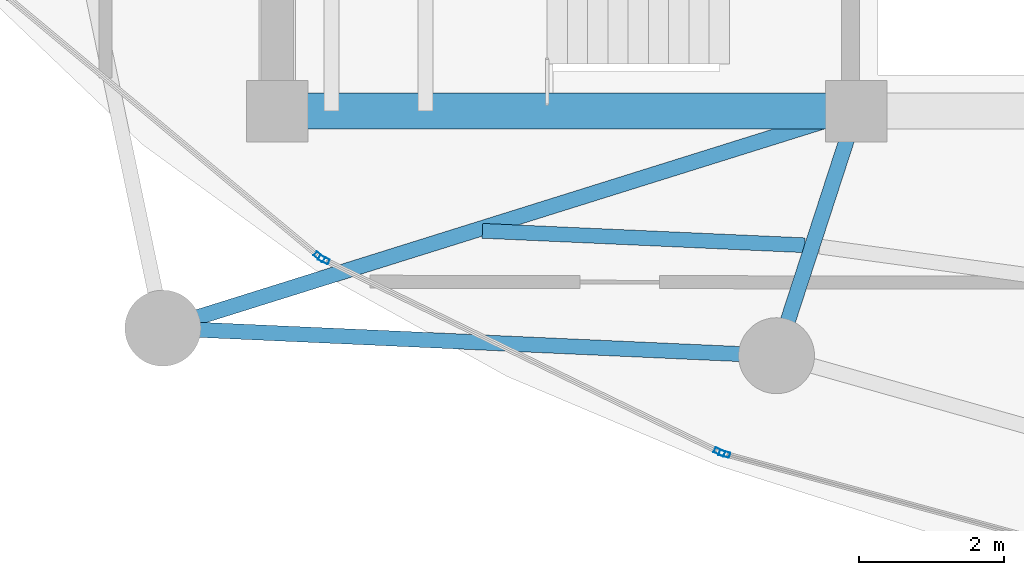
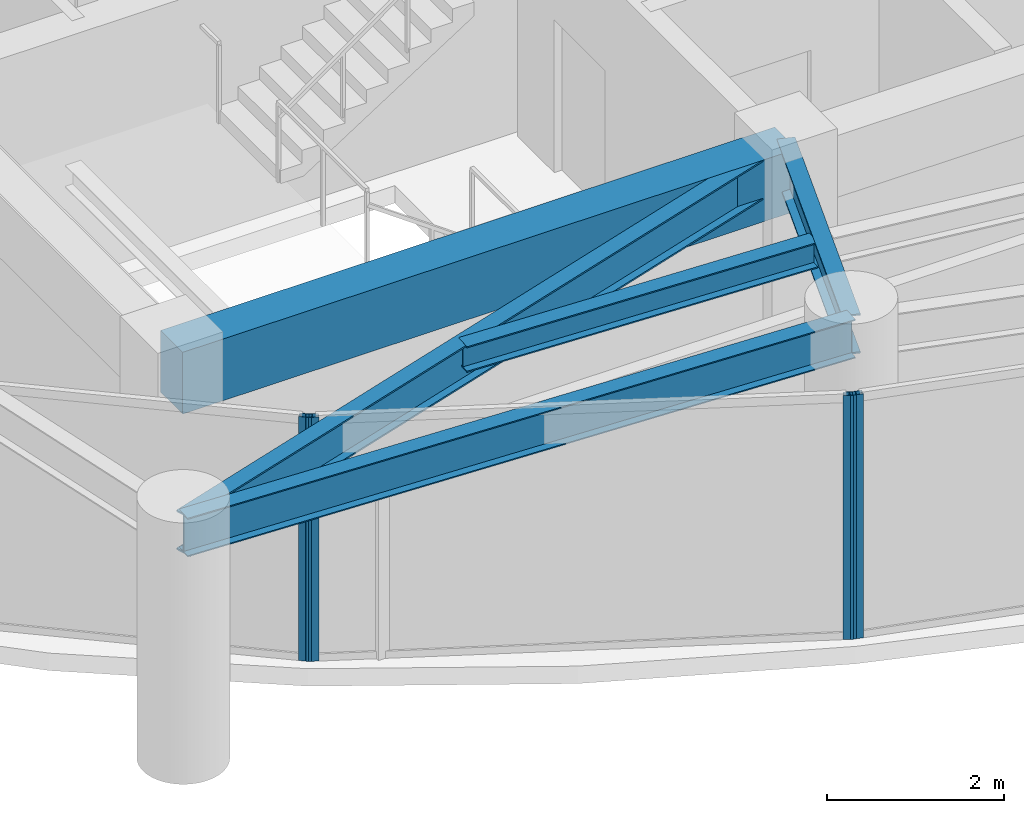
# One storey, part 2 of 29: 5 beams, 4 members, 3 elements without a shape of their own.
"""IFC4 building model written with IfcOpenShell, lengths in metres."""

from ifc_helpers import new_model, si_unit, direction, frame, origin, origin_2d, place, context, subcontext, project, spatial, rectangle, hollow_rectangle, i_section, extrude, material, layer, layer_set, material_profile, profile_set, type_object, element, aggregate, save


model = new_model("IFC4")

# Units and contexts
model_context = context("Model", 3, precision=1e-05, world=origin(), true_north=direction((0.0, 1.0)))
body_context = subcontext(model_context, "Body", "Model", "MODEL_VIEW")
ifc_project = project(units=[si_unit("LENGTHUNIT", "METRE"), si_unit("AREAUNIT", "SQUARE_METRE"), si_unit("VOLUMEUNIT", "CUBIC_METRE"), si_unit("PLANEANGLEUNIT", "RADIAN"), si_unit("MASSUNIT", "GRAM", prefix="KILO")], contexts=[model_context])

# Site, building, storey
site_placement = place(None, origin())
site = spatial("IfcSite", under=ifc_project, at=site_placement, CompositionType="ELEMENT")
building_placement = place(site_placement, origin())
building = spatial("IfcBuilding", under=site, at=building_placement, Name="Kazevale Care Tower and Concert Hall", CompositionType="ELEMENT")
storey_placement = place(building_placement, frame((0.0, 0.0, 213.60009765625)))
storey = spatial("IfcBuildingStorey", under=building, at=storey_placement, Name="L56", CompositionType="ELEMENT", Elevation=213.60009765625)

# Curtain wall, member
ifc_material_1 = material(Name="Aluminium 6063-T6 and Low-E Glass", Category="aluminium")
ifc_layer = layer(ifc_material_1, 0.179931640625)
ifc_layer_set = layer_set([ifc_layer], Name="Aluminium 6063-T6 and Low-E Glass")
curtain_wall_type = type_object("IfcCurtainWallType", Name="Sheltered Concave Balcony Curtain Wall CW-5", PredefinedType="NOTDEFINED", material=ifc_layer_set)
curtain_wall_1_placement = place(storey_placement, origin())
curtain_wall_1 = element("IfcCurtainWall", 1, at=curtain_wall_1_placement, inside=storey, type_object=curtain_wall_type, Name="cw:L56:f08", PredefinedType="NOTDEFINED")
ifc_material_2 = material(Name="Aluminium 6063-T6", Category="aluminium")
ifc_material_profile_1 = material_profile(ifc_material_2, hollow_rectangle(XDim=0.074951171875, YDim=0.14990234375, WallThickness=0.00390625, at=origin_2d()), Name="ALU75x150x4")
ifc_profile_set_1 = profile_set([ifc_material_profile_1], Name="Aluminium 6063-T6")
member_type = type_object("IfcMemberType", Name="CW-5 Mullion ALU75x150x4", PredefinedType="MULLION", material=ifc_profile_set_1)
member_1_placement = place(storey_placement, frame((28.18017578125, 18.863037109375, 0.0), z_axis=(0.0, 0.0, 1.0), x_axis=(-0.262848968947, -0.964836991167, 0.0)))
member_1 = element("IfcMember", 2, at=member_1_placement, type_object=member_type, Name="CW-5 mullion 2", PredefinedType="MULLION", context=body_context, shape_type="SweptSolid", body=[
    extrude(hollow_rectangle(XDim=0.074951171875, YDim=0.14990234375, WallThickness=0.00390625, at=origin_2d()), origin(), (0.0, 0.0, 1.0), 3.35986328125),
])
aggregate(curtain_wall_1, [member_1])

# Curtain wall, members
curtain_wall_2_placement = place(storey_placement, origin())
curtain_wall_2 = element("IfcCurtainWall", 3, at=curtain_wall_2_placement, inside=storey, type_object=curtain_wall_type, Name="cw:L56:f09", PredefinedType="NOTDEFINED")
member_2_placement = place(storey_placement, frame((28.1103515625, 18.889404296875, 0.0), z_axis=(0.0, 0.0, 1.0), x_axis=(-0.437238357087, -0.89934566163, 0.0)))
member_2 = element("IfcMember", 4, at=member_2_placement, type_object=member_type, Name="CW-5 mullion 1", PredefinedType="MULLION", context=body_context, shape_type="SweptSolid", body=[
    extrude(hollow_rectangle(XDim=0.074951171875, YDim=0.14990234375, WallThickness=0.00390625, at=origin_2d()), origin(), (0.0, 0.0, 1.0), 3.35986328125),
])
member_3_placement = place(storey_placement, frame((22.644775390625, 21.546630859375, 0.0), z_axis=(0.0, 0.0, 1.0), x_axis=(-0.437238357087, -0.89934566163, 0.0)))
member_3 = element("IfcMember", 5, at=member_3_placement, type_object=member_type, Name="CW-5 mullion 2", PredefinedType="MULLION", context=body_context, shape_type="SweptSolid", body=[
    extrude(hollow_rectangle(XDim=0.074951171875, YDim=0.14990234375, WallThickness=0.00390625, at=origin_2d()), origin(), (0.0, 0.0, 1.0), 3.35986328125),
])
aggregate(curtain_wall_2, [member_2, member_3])

# Curtain wall, member
curtain_wall_3_placement = place(storey_placement, origin())
curtain_wall_3 = element("IfcCurtainWall", 6, at=curtain_wall_3_placement, inside=storey, type_object=curtain_wall_type, Name="cw:L56:f10", PredefinedType="NOTDEFINED")
member_4_placement = place(storey_placement, frame((22.582275390625, 21.5869140625, 0.0), z_axis=(0.0, 0.0, 1.0), x_axis=(-0.639961217204, -0.768407210062, 0.0)))
member_4 = element("IfcMember", 7, at=member_4_placement, type_object=member_type, Name="CW-5 mullion 1", PredefinedType="MULLION", context=body_context, shape_type="SweptSolid", body=[
    extrude(hollow_rectangle(XDim=0.074951171875, YDim=0.14990234375, WallThickness=0.00390625, at=origin_2d()), origin(), (0.0, 0.0, 1.0), 3.35986328125),
])
aggregate(curtain_wall_3, [member_4])

# Beams
ifc_material_3 = material(Name="Concrete C60", Category="concrete")
ifc_material_profile_2 = material_profile(ifc_material_3, rectangle(XDim=0.5, YDim=0.85009765625, at=origin_2d()), Name="RC-B500x850")
ifc_profile_set_2 = profile_set([ifc_material_profile_2], Name="Concrete C60")
beam_type_1 = type_object("IfcBeamType", Name="Core Coupling Beam RC500x850", PredefinedType="LINTEL", material=ifc_profile_set_2)
beam_1_placement = place(storey_placement, frame((22.0, 23.60009765625, 2.934814453125), z_axis=(1.0, 0.0, 0.0), x_axis=(0.0, 1.0, 0.0)))
element("IfcBeam", 8, at=beam_1_placement, inside=storey, type_object=beam_type_1, Name="beam:L56:coretie:1", PredefinedType="LINTEL", context=body_context, shape_type="SweptSolid", body=[
    extrude(rectangle(XDim=0.5, YDim=0.85009765625, at=origin_2d()), origin(), (0.0, 0.0, 1.0), 8.0),
])
ifc_material_4 = material(Name="Steel ASTM A572 Gr 50", Category="steel")
ifc_material_profile_3 = material_profile(ifc_material_4, i_section(OverallWidth=0.2119140625, OverallDepth=0.5439453125, WebThickness=0.01318359375, FlangeThickness=0.021240234375, at=origin_2d()), Name="W530x123")
ifc_profile_set_3 = profile_set([ifc_material_profile_3], Name="Steel ASTM A572 Gr 50")
beam_type_2 = type_object("IfcBeamType", Name="Radial Floor Girder W530x123", PredefinedType="BEAM", material=ifc_profile_set_3)
beam_2_placement = place(storey_placement, frame((30.0, 23.60009765625, 3.087890625), z_axis=(-0.954303255322, -0.298839918486, 0.0), x_axis=(0.298839918486, -0.954303255322, 0.0)))
element("IfcBeam", 9, at=beam_2_placement, inside=storey, type_object=beam_type_2, Name="beam:L56:rad:10", PredefinedType="BEAM", context=body_context, shape_type="SweptSolid", body=[
    extrude(i_section(OverallWidth=0.2119140625, OverallDepth=0.5439453125, WebThickness=0.01318359375, FlangeThickness=0.021240234375, at=origin_2d()), origin(), (0.0, 0.0, 1.0), 10.038818359375),
])
beam_3_placement = place(storey_placement, frame((30.0, 23.60009765625, 3.087890625), z_axis=(-0.309482065101, -0.950905279921, 0.0), x_axis=(0.950905279921, -0.309482065101, 0.0)))
element("IfcBeam", 10, at=beam_3_placement, inside=storey, type_object=beam_type_2, Name="beam:L56:rad:11", PredefinedType="BEAM", context=body_context, shape_type="SweptSolid", body=[
    extrude(i_section(OverallWidth=0.2119140625, OverallDepth=0.5439453125, WebThickness=0.01318359375, FlangeThickness=0.021240234375, at=origin_2d()), origin(), (0.0, 0.0, 1.0), 3.5546875),
])
ifc_material_profile_4 = material_profile(ifc_material_4, i_section(OverallWidth=0.205078125, OverallDepth=0.35400390625, WebThickness=0.009521484375, FlangeThickness=0.016845703125, at=origin_2d()), Name="W360x79")
ifc_profile_set_4 = profile_set([ifc_material_profile_4], Name="Steel ASTM A572 Gr 50")
beam_type_3 = type_object("IfcBeamType", Name="Secondary Floor Joist W360x79", PredefinedType="JOIST", material=ifc_profile_set_4)
beam_4_placement = place(storey_placement, frame((24.8359375, 21.945068359375, 3.182861328125), z_axis=(0.999003687274, -0.044627713502, 0.0), x_axis=(0.044627713502, 0.999003687274, 0.0)))
element("IfcBeam", 11, at=beam_4_placement, inside=storey, type_object=beam_type_3, Name="beam:L56:joist:10", PredefinedType="JOIST", context=body_context, shape_type="SweptSolid", body=[
    extrude(i_section(OverallWidth=0.205078125, OverallDepth=0.35400390625, WebThickness=0.009521484375, FlangeThickness=0.016845703125, at=origin_2d()), origin(), (0.0, 0.0, 1.0), 4.45849609375),
])
ifc_material_profile_5 = material_profile(ifc_material_4, i_section(OverallWidth=0.208984375, OverallDepth=0.532958984375, WebThickness=0.01025390625, FlangeThickness=0.015625, at=origin_2d()), Name="W530x92")
ifc_profile_set_5 = profile_set([ifc_material_profile_5], Name="Steel ASTM A572 Gr 50")
beam_type_4 = type_object("IfcBeamType", Name="Upper Ring Beam W530x92", PredefinedType="BEAM", material=ifc_profile_set_5)
beam_5_placement = place(storey_placement, frame((20.419921875, 20.60009765625, 3.093505859375), z_axis=(0.998996808771, -0.044781425441, 0.0), x_axis=(0.044781425441, 0.998996808771, 0.0)))
element("IfcBeam", 12, at=beam_5_placement, inside=storey, type_object=beam_type_4, Name="beam:L56:ring:10", PredefinedType="BEAM", context=body_context, shape_type="SweptSolid", body=[
    extrude(i_section(OverallWidth=0.208984375, OverallDepth=0.532958984375, WebThickness=0.01025390625, FlangeThickness=0.015625, at=origin_2d()), origin(), (0.0, 0.0, 1.0), 8.488525390625),
])

save(model, "model.ifc")
